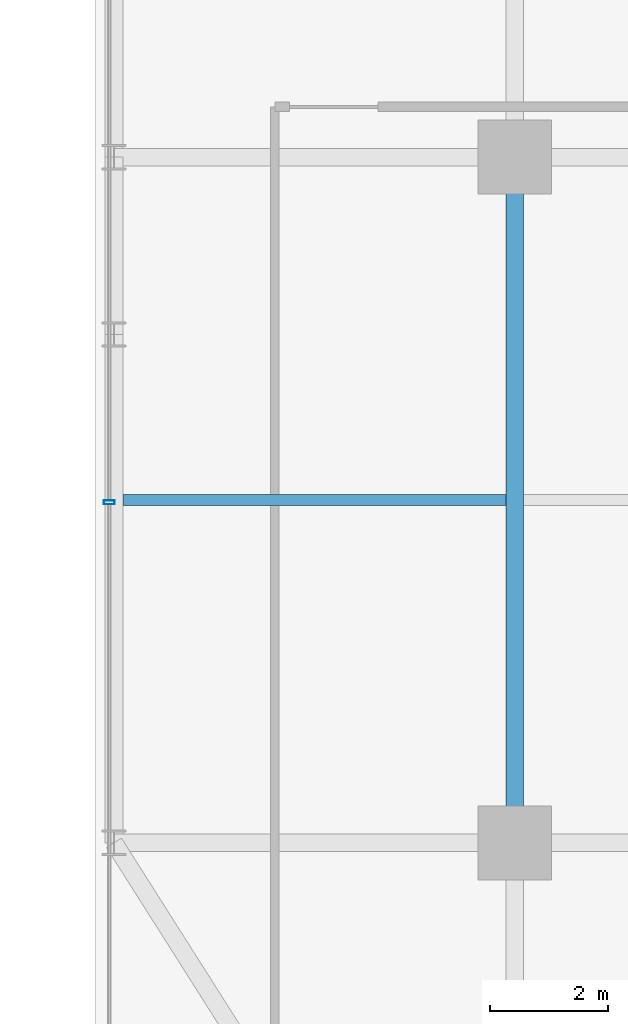
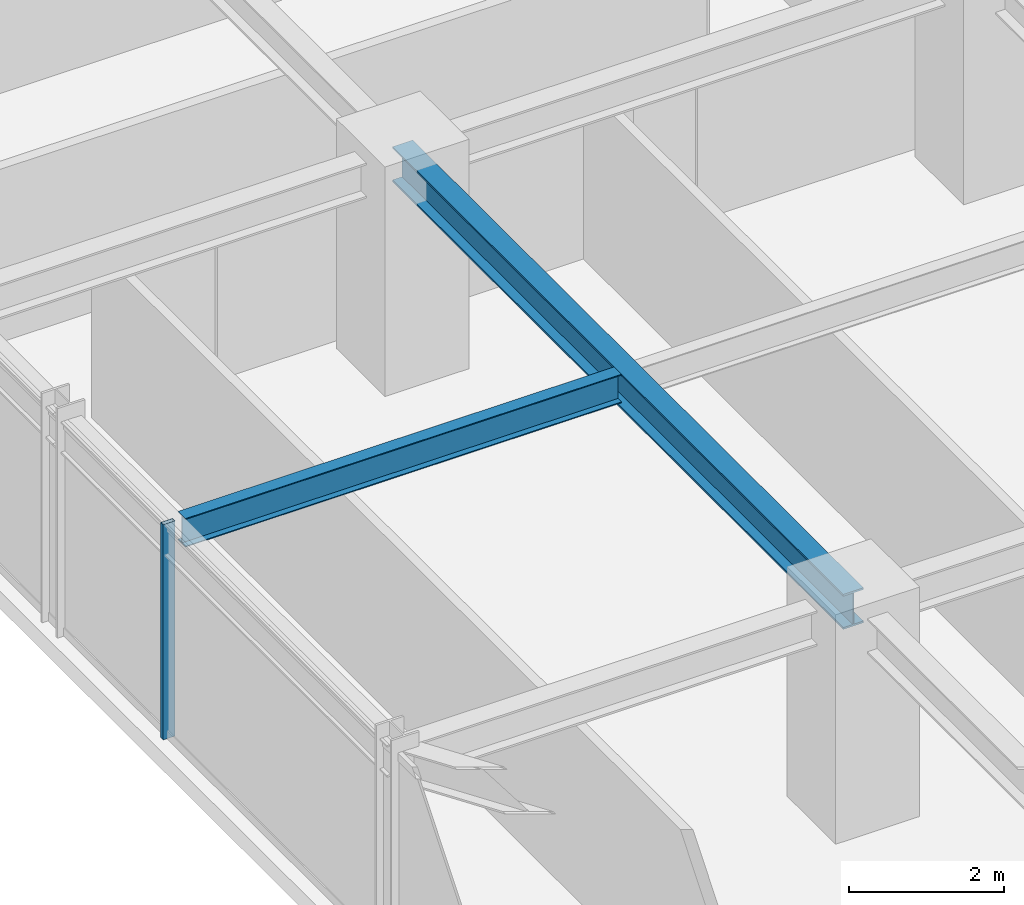
# One storey, part 4 of 35: 2 beams, 1 member, 1 element without a shape of its own.
"""IFC4 building model written with IfcOpenShell, lengths in metres."""

from ifc_helpers import new_model, si_unit, direction, frame, origin, origin_2d, place, context, subcontext, project, spatial, hollow_rectangle, i_section, extrude, source, transform, mapped, material, material_profile, profile_set, type_object, element, aggregate, save


model = new_model("IFC4")

# Units and contexts
model_context = context("Model", 3, precision=1e-05, world=origin(), true_north=direction((0.0, 1.0)))
body_context = subcontext(model_context, "Body", "Model", "MODEL_VIEW")
ifc_project = project(units=[si_unit("LENGTHUNIT", "METRE"), si_unit("AREAUNIT", "SQUARE_METRE"), si_unit("VOLUMEUNIT", "CUBIC_METRE"), si_unit("PLANEANGLEUNIT", "RADIAN"), si_unit("MASSUNIT", "GRAM", prefix="KILO")], contexts=[model_context])

# Site, building, storey
site_placement = place(None, origin())
site = spatial("IfcSite", under=ifc_project, at=site_placement, CompositionType="ELEMENT")
building_placement = place(site_placement, origin())
building = spatial("IfcBuilding", under=site, at=building_placement, Name="Nahalor Promenade Grand Hotel", CompositionType="ELEMENT")
storey_placement = place(building_placement, frame((0.0, 0.0, 106.550048828125)))
storey = spatial("IfcBuildingStorey", under=building, at=storey_placement, Name="L26", CompositionType="ELEMENT", Elevation=106.550048828125)

# Beams
ifc_material_1 = material(Name="Steel S355JR", Category="steel")
ifc_material_profile_1 = material_profile(ifc_material_1, i_section(OverallWidth=0.3, OverallDepth=0.55, WebThickness=0.015, FlangeThickness=0.029, at=origin_2d()), Name="HEB 550")
ifc_profile_set_1 = profile_set([ifc_material_profile_1], Name="Steel S355JR")
beam_type_1 = type_object("IfcBeamType", Name="Beam-Girder-HEB550", PredefinedType="BEAM", material=ifc_profile_set_1)
shared_shape_1 = source(origin(), body_context, "Body", "SweptSolid", [
    extrude(i_section(OverallWidth=0.3, OverallDepth=0.55, WebThickness=0.015, FlangeThickness=0.029, at=origin_2d()), origin(), (0.0, 0.0, 1.0), 11.60009765625),
])
beam_1_placement = place(storey_placement, frame((-17.0, -17.0, 3.10498046875), z_axis=(0.0, 1.0, 0.0), x_axis=(-1.0, 0.0, 0.0)))
element("IfcBeam", 1, at=beam_1_placement, inside=storey, type_object=beam_type_1, Name="BM-L26-GY-0-1", PredefinedType="BEAM", context=body_context, shape_type="MappedRepresentation", body=[
    mapped(shared_shape_1, transform((0.0, 0.0, 0.0), scale=1.0)),
])
ifc_material_profile_2 = material_profile(ifc_material_1, i_section(OverallWidth=0.19, OverallDepth=0.45, WebThickness=0.0094, FlangeThickness=0.0146, at=origin_2d()), Name="IPE 450")
ifc_profile_set_2 = profile_set([ifc_material_profile_2], Name="Steel S355JR")
beam_type_2 = type_object("IfcBeamType", Name="Beam-Joist-IPE450", PredefinedType="JOIST", material=ifc_profile_set_2)
shared_shape_2 = source(origin(), body_context, "Body", "SweptSolid", [
    extrude(i_section(OverallWidth=0.19, OverallDepth=0.45, WebThickness=0.0094, FlangeThickness=0.0146, at=origin_2d()), origin(), (0.0, 0.0, 1.0), 6.47998046875),
])
beam_2_placement = place(storey_placement, frame((-23.6298828125, -11.199951171875, 3.155029296875), z_axis=(1.0, 0.0, 0.0), x_axis=(0.0, 1.0, 0.0)))
element("IfcBeam", 2, at=beam_2_placement, inside=storey, type_object=beam_type_2, Name="BM-L26-JSW-0-0", PredefinedType="JOIST", context=body_context, shape_type="MappedRepresentation", body=[
    mapped(shared_shape_2, transform((0.0, 0.0, 0.0), scale=1.0)),
])

# Curtain wall, member
ifc_material_2 = material(Name="Anodised Bronze Aluminium EN AW-6063 T6", Category="aluminium")
curtain_wall_type = type_object("IfcCurtainWallType", Name="CW2 Typical Hotel Flush Bronze Unitised Curtain Wall", PredefinedType="USERDEFINED", material=ifc_material_2)
curtain_wall_placement = place(storey_placement, origin())
curtain_wall = element("IfcCurtainWall", 3, at=curtain_wall_placement, inside=storey, type_object=curtain_wall_type, Name="L26 Curtain Wall CW-L26-W-1", ObjectType="UNITISED_CURTAIN_WALL", PredefinedType="USERDEFINED")
ifc_material_profile_3 = material_profile(ifc_material_2, hollow_rectangle(XDim=0.065, YDim=0.18, WallThickness=0.004, at=origin_2d()), Name="CWM 65x180x4")
ifc_profile_set_3 = profile_set([ifc_material_profile_3], Name="Anodised Bronze Aluminium EN AW-6063 T6")
member_type = type_object("IfcMemberType", Name="CWM2 Typical Bronze Mullion 65x180", PredefinedType="MULLION", material=ifc_profile_set_3)
shared_shape_3 = source(origin(), body_context, "Body", "SweptSolid", [
    extrude(hollow_rectangle(XDim=0.065, YDim=0.18, WallThickness=0.004, at=origin_2d()), origin(), (0.0, 0.0, 1.0), 3.3798828125),
])
member_placement = place(storey_placement, frame((-23.860107421875, -11.239990234375, 0.0), z_axis=(0.0, 0.0, 1.0), x_axis=(0.0, 1.0, 0.0)))
member = element("IfcMember", 4, at=member_placement, type_object=member_type, Name="CW-L26-W-1 Mullion 1", PredefinedType="MULLION", context=body_context, shape_type="MappedRepresentation", body=[
    mapped(shared_shape_3, transform((0.0, 0.0, 0.0), scale=1.0)),
])
aggregate(curtain_wall, [member])

save(model, "model.ifc")
